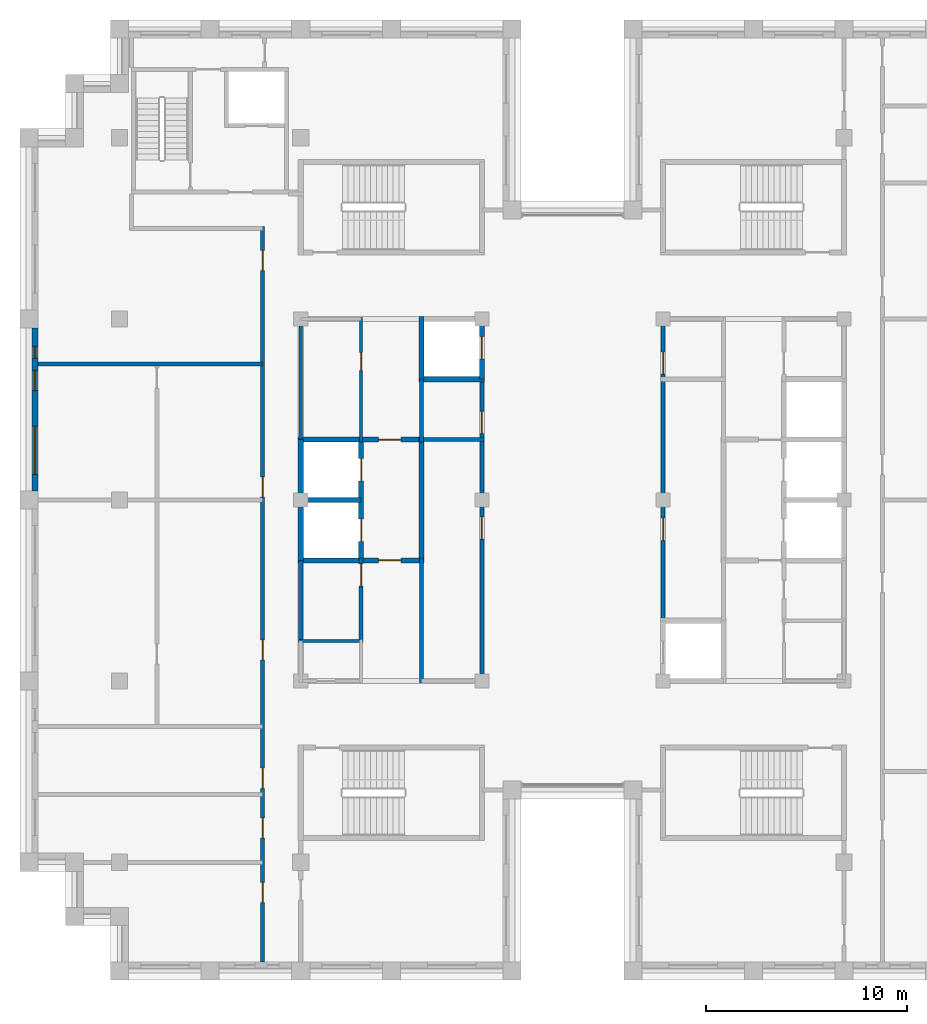
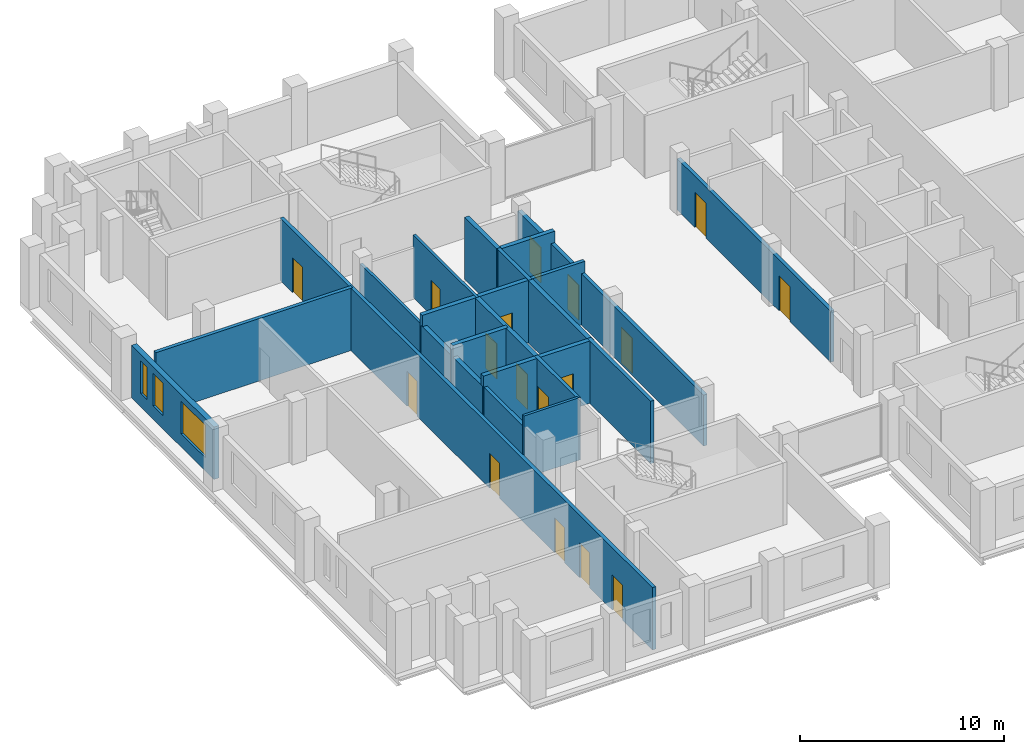
# One storey, part 7 of 13: 22 walls, 17 doors, 3 windows, 20 openings.
"""IFC4 building model written with IfcOpenShell, lengths in metres."""

from ifc_helpers import new_model, si_unit, direction, frame, frame_2d, origin, place, context, subcontext, project, spatial, rectangle, extrude, material, layer, layer_set, type_object, element, fill, save


model = new_model("IFC4")

# Units and contexts
model_context = context("Model", 3, precision=1e-05, world=origin(), true_north=direction((0.0, 1.0)))
body_context = subcontext(model_context, "Body", "Model", "MODEL_VIEW")
ifc_project = project(units=[si_unit("LENGTHUNIT", "METRE"), si_unit("AREAUNIT", "SQUARE_METRE"), si_unit("VOLUMEUNIT", "CUBIC_METRE"), si_unit("PLANEANGLEUNIT", "RADIAN"), si_unit("MASSUNIT", "GRAM", prefix="KILO")], contexts=[model_context])

# Site, building, storey
site_placement = place(None, origin())
site = spatial("IfcSite", under=ifc_project, at=site_placement, CompositionType="ELEMENT")
building_placement = place(site_placement, origin())
building = spatial("IfcBuilding", under=site, at=building_placement, Name="Corbelhall Arena Tower", CompositionType="ELEMENT")
storey_placement = place(building_placement, frame((0.0, 0.0, 304.0)))
storey = spatial("IfcBuildingStorey", under=building, at=storey_placement, Name="L66", CompositionType="ELEMENT", Elevation=304.0)

# Wall, openings, windows
ifc_material_1 = material(Name="Precast concrete C40/50 with granite facing", Category="masonry")
ifc_layer_1 = layer(ifc_material_1, 0.300048828125)
ifc_layer_set_1 = layer_set([ifc_layer_1], Name="EV-IW1 Infill panel 300")
wall_type_1 = type_object("IfcWallType", Name="EV-IW1 Infill panel 300", PredefinedType="SOLIDWALL", material=ifc_layer_set_1)
wall_1_placement = place(storey_placement, frame((-26.699951171875, 8.550048828125, 0.0), z_axis=(0.0, 0.0, 1.0), x_axis=(0.0, -1.0, 0.0)))
wall_1 = element("IfcWall", 1, at=wall_1_placement, inside=storey, type_object=wall_type_1, Name="Infill panel IW1", PredefinedType="SOLIDWALL", context=body_context, shape_type="SweptSolid", body=[
    extrude(rectangle(XDim=8.10009765625, YDim=0.300048828125, at=frame_2d((4.050048828125, 0.0))), origin(), (0.0, 0.0, 1.0), 3.139892578125),
])
opening_1_placement = place(wall_1_placement, frame((4.875, 0.0, 0.800048828125)))
opening_1 = element("IfcOpeningElement", 2, at=opening_1_placement, cuts=wall_1, Name="Opening WN1", PredefinedType="OPENING", context=body_context, shape_type="SweptSolid", body=[
    extrude(rectangle(XDim=2.39990234375, YDim=1.949951171875, at=frame_2d((1.199951171875, 0.97509765625))), frame((0.0, 0.14990234375, 0.0), z_axis=(0.0, -1.0, 0.0), x_axis=(1.0, 0.0, 0.0)), (0.0, 0.0, 1.0), 0.300048828125),
])
opening_2_placement = place(wall_1_placement, frame((0.91259765625, 0.0, 0.800048828125)))
opening_2 = element("IfcOpeningElement", 3, at=opening_2_placement, cuts=wall_1, Name="Opening WN5", PredefinedType="OPENING", context=body_context, shape_type="SweptSolid", body=[
    extrude(rectangle(XDim=0.60009765625, YDim=1.949951171875, at=frame_2d((0.300048828125, 0.97509765625))), frame((0.0, 0.14990234375, 0.0), z_axis=(0.0, -1.0, 0.0), x_axis=(1.0, 0.0, 0.0)), (0.0, 0.0, 1.0), 0.300048828125),
])
opening_3_placement = place(wall_1_placement, frame((2.112548828125, 0.0, 0.800048828125)))
opening_3 = element("IfcOpeningElement", 4, at=opening_3_placement, cuts=wall_1, Name="Opening WN6", PredefinedType="OPENING", context=body_context, shape_type="SweptSolid", body=[
    extrude(rectangle(XDim=1.0, YDim=1.949951171875, at=frame_2d((0.5, 0.97509765625))), frame((0.0, 0.14990234375, 0.0), z_axis=(0.0, -1.0, 0.0), x_axis=(1.0, 0.0, 0.0)), (0.0, 0.0, 1.0), 0.300048828125),
])
ifc_material_2 = material(Name="Aluminium black anodised", Category="aluminium")
window_type_1 = type_object("IfcWindowType", Name="EV-WN1 Office window", PartitioningType="SINGLE_PANEL", PredefinedType="WINDOW", material=ifc_material_2)
window_1_placement = place(opening_1_placement, origin())
window_1 = element("IfcWindow", 5, at=window_1_placement, inside=storey, type_object=window_type_1, Name="Window WN1", OverallHeight=1.949951171875, OverallWidth=2.39990234375, PartitioningType="SINGLE_PANEL", PredefinedType="WINDOW", context=body_context, shape_type="SweptSolid", body=[
    extrude(rectangle(XDim=2.39990234375, YDim=1.949951171875, at=frame_2d((1.199951171875, 0.97509765625))), frame((0.0, 0.030029296875, 0.0), z_axis=(0.0, -1.0, 0.0), x_axis=(1.0, 0.0, 0.0)), (0.0, 0.0, 1.0), 0.06005859375),
])
fill(opening_1, window_1)
window_type_2 = type_object("IfcWindowType", Name="EV-WN5 Office window 600", PartitioningType="SINGLE_PANEL", PredefinedType="WINDOW", material=ifc_material_2)
window_2_placement = place(opening_2_placement, origin())
window_2 = element("IfcWindow", 6, at=window_2_placement, inside=storey, type_object=window_type_2, Name="Window WN5", OverallHeight=1.949951171875, OverallWidth=0.60009765625, PartitioningType="SINGLE_PANEL", PredefinedType="WINDOW", context=body_context, shape_type="SweptSolid", body=[
    extrude(rectangle(XDim=0.60009765625, YDim=1.949951171875, at=frame_2d((0.300048828125, 0.97509765625))), frame((0.0, 0.030029296875, 0.0), z_axis=(0.0, -1.0, 0.0), x_axis=(1.0, 0.0, 0.0)), (0.0, 0.0, 1.0), 0.06005859375),
])
fill(opening_2, window_2)
window_type_3 = type_object("IfcWindowType", Name="EV-WN6 Office window 1000", PartitioningType="SINGLE_PANEL", PredefinedType="WINDOW", material=ifc_material_2)
window_3_placement = place(opening_3_placement, origin())
window_3 = element("IfcWindow", 7, at=window_3_placement, inside=storey, type_object=window_type_3, Name="Window WN6", OverallHeight=1.949951171875, OverallWidth=1.0, PartitioningType="SINGLE_PANEL", PredefinedType="WINDOW", context=body_context, shape_type="SweptSolid", body=[
    extrude(rectangle(XDim=1.0, YDim=1.949951171875, at=frame_2d((0.5, 0.97509765625))), frame((0.0, 0.030029296875, 0.0), z_axis=(0.0, -1.0, 0.0), x_axis=(1.0, 0.0, 0.0)), (0.0, 0.0, 1.0), 0.06005859375),
])
fill(opening_3, window_3)

# Wall
ifc_material_3 = material(Name="Gypsum board on steel stud, acoustic", Category="steel")
ifc_layer_2 = layer(ifc_material_3, 0.199951171875)
ifc_layer_set_2 = layer_set([ifc_layer_2], Name="IN-W-DM200")
wall_type_2 = type_object("IfcWallType", Name="IN-W-DM200", PredefinedType="PARTITIONING", material=ifc_layer_set_2)
wall_2_placement = place(storey_placement, frame((-26.550048828125, 6.75, 0.0), z_axis=(0.0, 0.0, 1.0), x_axis=(1.0, 0.0, 0.0)))
element("IfcWall", 8, at=wall_2_placement, inside=storey, type_object=wall_type_2, Name="Partition 003", PredefinedType="PARTITIONING", context=body_context, shape_type="SweptSolid", body=[
    extrude(rectangle(XDim=11.150146484375, YDim=0.199951171875, at=frame_2d((5.5751953125, 0.0))), origin(), (0.0, 0.0, 1.0), 3.739990234375),
])

# Wall, openings, doors
wall_3_placement = place(storey_placement, frame((-15.39990234375, -22.949951171875, 0.0), z_axis=(0.0, 0.0, 1.0), x_axis=(0.0, 1.0, 0.0)))
wall_3 = element("IfcWall", 9, at=wall_3_placement, inside=storey, type_object=wall_type_2, Name="Partition 009", PredefinedType="PARTITIONING", context=body_context, shape_type="SweptSolid", body=[
    extrude(rectangle(XDim=36.550048828125, YDim=0.199951171875, at=frame_2d((18.27490234375, 0.0))), origin(), (0.0, 0.0, 1.0), 3.739990234375),
])
opening_4_placement = place(wall_3_placement, frame((23.10009765625, 0.0, 0.0)))
opening_4 = element("IfcOpeningElement", 10, at=opening_4_placement, cuts=wall_3, Name="Opening 21021", PredefinedType="OPENING", context=body_context, shape_type="SweptSolid", body=[
    extrude(rectangle(XDim=1.0, YDim=2.10009765625, at=frame_2d((0.5, 1.050048828125))), frame((0.0, 0.10009765625, 0.0), z_axis=(0.0, -1.0, 0.0), x_axis=(1.0, 0.0, 0.0)), (0.0, 0.0, 1.0), 0.199951171875),
])
opening_5_placement = place(wall_3_placement, frame((34.35009765625, 0.0, 0.0)))
opening_5 = element("IfcOpeningElement", 11, at=opening_5_placement, cuts=wall_3, Name="Opening 21023", PredefinedType="OPENING", context=body_context, shape_type="SweptSolid", body=[
    extrude(rectangle(XDim=1.0, YDim=2.10009765625, at=frame_2d((0.5, 1.050048828125))), frame((0.0, 0.10009765625, 0.0), z_axis=(0.0, -1.0, 0.0), x_axis=(1.0, 0.0, 0.0)), (0.0, 0.0, 1.0), 0.199951171875),
])
opening_6_placement = place(wall_3_placement, frame((2.949951171875, 0.0, 0.0)))
opening_6 = element("IfcOpeningElement", 12, at=opening_6_placement, cuts=wall_3, Name="Opening 21024", PredefinedType="OPENING", context=body_context, shape_type="SweptSolid", body=[
    extrude(rectangle(XDim=1.0, YDim=2.10009765625, at=frame_2d((0.5, 1.050048828125))), frame((0.0, 0.10009765625, 0.0), z_axis=(0.0, -1.0, 0.0), x_axis=(1.0, 0.0, 0.0)), (0.0, 0.0, 1.0), 0.199951171875),
])
opening_7_placement = place(wall_3_placement, frame((6.14990234375, 0.0, 0.0)))
opening_7 = element("IfcOpeningElement", 13, at=opening_7_placement, cuts=wall_3, Name="Opening 21025", PredefinedType="OPENING", context=body_context, shape_type="SweptSolid", body=[
    extrude(rectangle(XDim=1.0, YDim=2.10009765625, at=frame_2d((0.5, 1.050048828125))), frame((0.0, 0.10009765625, 0.0), z_axis=(0.0, -1.0, 0.0), x_axis=(1.0, 0.0, 0.0)), (0.0, 0.0, 1.0), 0.199951171875),
])
opening_8_placement = place(wall_3_placement, frame((8.625, 0.0, 0.0)))
opening_8 = element("IfcOpeningElement", 14, at=opening_8_placement, cuts=wall_3, Name="Opening 21026", PredefinedType="OPENING", context=body_context, shape_type="SweptSolid", body=[
    extrude(rectangle(XDim=1.0, YDim=2.10009765625, at=frame_2d((0.5, 1.050048828125))), frame((0.0, 0.10009765625, 0.0), z_axis=(0.0, -1.0, 0.0), x_axis=(1.0, 0.0, 0.0)), (0.0, 0.0, 1.0), 0.199951171875),
])
opening_9_placement = place(wall_3_placement, frame((15.0, 0.0, 0.0)))
opening_9 = element("IfcOpeningElement", 15, at=opening_9_placement, cuts=wall_3, Name="Opening 21027", PredefinedType="OPENING", context=body_context, shape_type="SweptSolid", body=[
    extrude(rectangle(XDim=1.0, YDim=2.10009765625, at=frame_2d((0.5, 1.050048828125))), frame((0.0, 0.10009765625, 0.0), z_axis=(0.0, -1.0, 0.0), x_axis=(1.0, 0.0, 0.0)), (0.0, 0.0, 1.0), 0.199951171875),
])
ifc_material_4 = material(Name="Steel door set", Category="steel")
door_type_1 = type_object("IfcDoorType", Name="IN-D-SW100", OperationType="NOTDEFINED", PredefinedType="DOOR", material=ifc_material_4)
door_1_placement = place(opening_4_placement, origin())
door_1 = element("IfcDoor", 16, at=door_1_placement, inside=storey, type_object=door_type_1, Name="Door 021", OperationType="SINGLE_SWING_RIGHT", OverallHeight=2.10009765625, OverallWidth=1.0, PredefinedType="DOOR", context=body_context, shape_type="SweptSolid", body=[
    extrude(rectangle(XDim=1.0, YDim=2.10009765625, at=frame_2d((0.5, 1.050048828125))), frame((0.0, 0.02490234375, 0.0), z_axis=(0.0, -1.0, 0.0), x_axis=(1.0, 0.0, 0.0)), (0.0, 0.0, 1.0), 0.050048828125),
])
fill(opening_4, door_1)
door_2_placement = place(opening_5_placement, origin())
door_2 = element("IfcDoor", 17, at=door_2_placement, inside=storey, type_object=door_type_1, Name="Door 023", OperationType="SINGLE_SWING_RIGHT", OverallHeight=2.10009765625, OverallWidth=1.0, PredefinedType="DOOR", context=body_context, shape_type="SweptSolid", body=[
    extrude(rectangle(XDim=1.0, YDim=2.10009765625, at=frame_2d((0.5, 1.050048828125))), frame((0.0, 0.02490234375, 0.0), z_axis=(0.0, -1.0, 0.0), x_axis=(1.0, 0.0, 0.0)), (0.0, 0.0, 1.0), 0.050048828125),
])
fill(opening_5, door_2)
door_3_placement = place(opening_6_placement, origin())
door_3 = element("IfcDoor", 18, at=door_3_placement, inside=storey, type_object=door_type_1, Name="Door 024", OperationType="SINGLE_SWING_LEFT", OverallHeight=2.10009765625, OverallWidth=1.0, PredefinedType="DOOR", context=body_context, shape_type="SweptSolid", body=[
    extrude(rectangle(XDim=1.0, YDim=2.10009765625, at=frame_2d((0.5, 1.050048828125))), frame((0.0, 0.02490234375, 0.0), z_axis=(0.0, -1.0, 0.0), x_axis=(1.0, 0.0, 0.0)), (0.0, 0.0, 1.0), 0.050048828125),
])
fill(opening_6, door_3)
door_4_placement = place(opening_7_placement, origin())
door_4 = element("IfcDoor", 19, at=door_4_placement, inside=storey, type_object=door_type_1, Name="Door 025", OperationType="SINGLE_SWING_RIGHT", OverallHeight=2.10009765625, OverallWidth=1.0, PredefinedType="DOOR", context=body_context, shape_type="SweptSolid", body=[
    extrude(rectangle(XDim=1.0, YDim=2.10009765625, at=frame_2d((0.5, 1.050048828125))), frame((0.0, 0.02490234375, 0.0), z_axis=(0.0, -1.0, 0.0), x_axis=(1.0, 0.0, 0.0)), (0.0, 0.0, 1.0), 0.050048828125),
])
fill(opening_7, door_4)
door_5_placement = place(opening_8_placement, origin())
door_5 = element("IfcDoor", 20, at=door_5_placement, inside=storey, type_object=door_type_1, Name="Door 026", OperationType="SINGLE_SWING_LEFT", OverallHeight=2.10009765625, OverallWidth=1.0, PredefinedType="DOOR", context=body_context, shape_type="SweptSolid", body=[
    extrude(rectangle(XDim=1.0, YDim=2.10009765625, at=frame_2d((0.5, 1.050048828125))), frame((0.0, 0.02490234375, 0.0), z_axis=(0.0, -1.0, 0.0), x_axis=(1.0, 0.0, 0.0)), (0.0, 0.0, 1.0), 0.050048828125),
])
fill(opening_8, door_5)
door_6_placement = place(opening_9_placement, origin())
door_6 = element("IfcDoor", 21, at=door_6_placement, inside=storey, type_object=door_type_1, Name="Door 027", OperationType="SINGLE_SWING_RIGHT", OverallHeight=2.10009765625, OverallWidth=1.0, PredefinedType="DOOR", context=body_context, shape_type="SweptSolid", body=[
    extrude(rectangle(XDim=1.0, YDim=2.10009765625, at=frame_2d((0.5, 1.050048828125))), frame((0.0, 0.02490234375, 0.0), z_axis=(0.0, -1.0, 0.0), x_axis=(1.0, 0.0, 0.0)), (0.0, 0.0, 1.0), 0.050048828125),
])
fill(opening_9, door_6)

# Wall, opening, door
ifc_material_5 = material(Name="Concrete block wall", Category="concrete")
ifc_layer_3 = layer(ifc_material_5, 0.199951171875)
ifc_layer_set_3 = layer_set([ifc_layer_3], Name="IN-W-RS200")
wall_type_3 = type_object("IfcWallType", Name="IN-W-RS200", PredefinedType="SOLIDWALL", material=ifc_layer_set_3)
wall_4_placement = place(storey_placement, frame((-10.5, -7.074951171875, 0.0), z_axis=(0.0, 0.0, 1.0), x_axis=(0.0, 1.0, 0.0)))
wall_4 = element("IfcWall", 22, at=wall_4_placement, inside=storey, type_object=wall_type_3, Name="Partition 028", PredefinedType="SOLIDWALL", context=body_context, shape_type="SweptSolid", body=[
    extrude(rectangle(XDim=4.199951171875, YDim=0.199951171875, at=frame_2d((2.10009765625, 0.0))), origin(), (0.0, 0.0, 1.0), 3.739990234375),
])
opening_10_placement = place(wall_4_placement, frame((2.800048828125, 0.0, 0.0)))
opening_10 = element("IfcOpeningElement", 23, at=opening_10_placement, cuts=wall_4, Name="Opening 21006", PredefinedType="OPENING", context=body_context, shape_type="SweptSolid", body=[
    extrude(rectangle(XDim=1.10009765625, YDim=2.10009765625, at=frame_2d((0.550048828125, 1.050048828125))), frame((0.0, 0.10009765625, 0.0), z_axis=(0.0, -1.0, 0.0), x_axis=(1.0, 0.0, 0.0)), (0.0, 0.0, 1.0), 0.199951171875),
])
door_type_2 = type_object("IfcDoorType", Name="IN-D-FD110", OperationType="NOTDEFINED", PredefinedType="DOOR", material=ifc_material_4)
door_7_placement = place(opening_10_placement, origin())
door_7 = element("IfcDoor", 24, at=door_7_placement, inside=storey, type_object=door_type_2, Name="Door 006", OperationType="SINGLE_SWING_LEFT", OverallHeight=2.10009765625, OverallWidth=1.10009765625, PredefinedType="DOOR", context=body_context, shape_type="SweptSolid", body=[
    extrude(rectangle(XDim=1.10009765625, YDim=2.10009765625, at=frame_2d((0.550048828125, 1.050048828125))), frame((0.0, 0.02490234375, 0.0), z_axis=(0.0, -1.0, 0.0), x_axis=(1.0, 0.0, 0.0)), (0.0, 0.0, 1.0), 0.050048828125),
])
fill(opening_10, door_7)

# Walls
wall_5_placement = place(storey_placement, frame((-7.625, 3.0, 0.0), z_axis=(0.0, 0.0, 1.0), x_axis=(1.0, 0.0, 0.0)))
element("IfcWall", 25, at=wall_5_placement, inside=storey, type_object=wall_type_3, Name="Partition 029", PredefinedType="SOLIDWALL", context=body_context, shape_type="SweptSolid", body=[
    extrude(rectangle(XDim=3.22509765625, YDim=0.199951171875, at=frame_2d((1.612548828125, 0.0))), origin(), (0.0, 0.0, 1.0), 3.739990234375),
])
wall_6_placement = place(storey_placement, frame((-7.5, -9.10009765625, 0.0), z_axis=(0.0, 0.0, 1.0), x_axis=(0.0, 1.0, 0.0)))
element("IfcWall", 26, at=wall_6_placement, inside=storey, type_object=wall_type_3, Name="Partition 030", PredefinedType="SOLIDWALL", context=body_context, shape_type="SweptSolid", body=[
    extrude(rectangle(XDim=6.22509765625, YDim=0.199951171875, at=frame_2d((3.112548828125, 0.0))), origin(), (0.0, 0.0, 1.0), 3.739990234375),
])
wall_7_placement = place(storey_placement, frame((-7.5, 2.875, 0.0), z_axis=(0.0, 0.0, 1.0), x_axis=(0.0, 1.0, 0.0)))
element("IfcWall", 27, at=wall_7_placement, inside=storey, type_object=wall_type_3, Name="Partition 031", PredefinedType="SOLIDWALL", context=body_context, shape_type="SweptSolid", body=[
    extrude(rectangle(XDim=3.125, YDim=0.199951171875, at=frame_2d((1.5625, 0.0))), origin(), (0.0, 0.0, 1.0), 3.739990234375),
])
ifc_layer_4 = layer(ifc_material_5, 0.199951171875)
ifc_layer_set_4 = layer_set([ifc_layer_4], Name="IN-W-RS200 under beam 678 mm")
wall_type_4 = type_object("IfcWallType", Name="IN-W-RS200 under beam 678 mm", PredefinedType="SOLIDWALL", material=ifc_layer_set_4)
wall_8_placement = place(storey_placement, frame((-13.5, -7.0, 0.0), z_axis=(0.0, 0.0, 1.0), x_axis=(0.0, 1.0, 0.0)))
element("IfcWall", 28, at=wall_8_placement, inside=storey, type_object=wall_type_4, Name="Partition 027", PredefinedType="SOLIDWALL", context=body_context, shape_type="SweptSolid", body=[
    extrude(rectangle(XDim=4.0, YDim=0.199951171875, at=frame_2d((2.0, 0.0))), origin(), (0.0, 0.0, 1.0), 3.061767578125),
])

# Wall, openings, doors
wall_9_placement = place(storey_placement, frame((-4.5, 6.0, 0.0), z_axis=(0.0, 0.0, 1.0), x_axis=(0.0, -1.0, 0.0)))
wall_9 = element("IfcWall", 29, at=wall_9_placement, inside=storey, type_object=wall_type_4, Name="Partition 033", PredefinedType="SOLIDWALL", context=body_context, shape_type="SweptSolid", body=[
    extrude(rectangle(XDim=15.10009765625, YDim=0.199951171875, at=frame_2d((7.550048828125, 0.0))), origin(), (0.0, 0.0, 1.0), 3.061767578125),
])
opening_11_placement = place(wall_9_placement, frame((6.85009765625, 0.0, 0.0)))
opening_11 = element("IfcOpeningElement", 30, at=opening_11_placement, cuts=wall_9, Name="Opening 21001", PredefinedType="OPENING", context=body_context, shape_type="SweptSolid", body=[
    extrude(rectangle(XDim=1.10009765625, YDim=2.10009765625, at=frame_2d((0.550048828125, 1.050048828125))), frame((0.0, 0.10009765625, 0.0), z_axis=(0.0, -1.0, 0.0), x_axis=(1.0, 0.0, 0.0)), (0.0, 0.0, 1.0), 0.199951171875),
])
opening_12_placement = place(wall_9_placement, frame((1.60009765625, 0.0, 0.0)))
opening_12 = element("IfcOpeningElement", 31, at=opening_12_placement, cuts=wall_9, Name="Opening 21002", PredefinedType="OPENING", context=body_context, shape_type="SweptSolid", body=[
    extrude(rectangle(XDim=1.10009765625, YDim=2.10009765625, at=frame_2d((0.550048828125, 1.050048828125))), frame((0.0, 0.10009765625, 0.0), z_axis=(0.0, -1.0, 0.0), x_axis=(1.0, 0.0, 0.0)), (0.0, 0.0, 1.0), 0.199951171875),
])
door_8_placement = place(opening_11_placement, origin())
door_8 = element("IfcDoor", 32, at=door_8_placement, inside=storey, type_object=door_type_2, Name="Door 001", OperationType="SINGLE_SWING_RIGHT", OverallHeight=2.10009765625, OverallWidth=1.10009765625, PredefinedType="DOOR", context=body_context, shape_type="SweptSolid", body=[
    extrude(rectangle(XDim=1.10009765625, YDim=2.10009765625, at=frame_2d((0.550048828125, 1.050048828125))), frame((0.0, 0.02490234375, 0.0), z_axis=(0.0, -1.0, 0.0), x_axis=(1.0, 0.0, 0.0)), (0.0, 0.0, 1.0), 0.050048828125),
])
fill(opening_11, door_8)
door_9_placement = place(opening_12_placement, origin())
door_9 = element("IfcDoor", 33, at=door_9_placement, inside=storey, type_object=door_type_2, Name="Door 002", OperationType="SINGLE_SWING_LEFT", OverallHeight=2.10009765625, OverallWidth=1.10009765625, PredefinedType="DOOR", context=body_context, shape_type="SweptSolid", body=[
    extrude(rectangle(XDim=1.10009765625, YDim=2.10009765625, at=frame_2d((0.550048828125, 1.050048828125))), frame((0.0, 0.02490234375, 0.0), z_axis=(0.0, -1.0, 0.0), x_axis=(1.0, 0.0, 0.0)), (0.0, 0.0, 1.0), 0.050048828125),
])
fill(opening_12, door_9)

wall_10_placement = place(storey_placement, frame((4.5, -6.0, 0.0), z_axis=(0.0, 0.0, 1.0), x_axis=(0.0, 1.0, 0.0)))
wall_10 = element("IfcWall", 34, at=wall_10_placement, inside=storey, type_object=wall_type_4, Name="Partition 035", PredefinedType="SOLIDWALL", context=body_context, shape_type="SweptSolid", body=[
    extrude(rectangle(XDim=15.10009765625, YDim=0.199951171875, at=frame_2d((7.550048828125, 0.0))), origin(), (0.0, 0.0, 1.0), 3.061767578125),
])
opening_13_placement = place(wall_10_placement, frame((4.0, 0.0, 0.0)))
opening_13 = element("IfcOpeningElement", 35, at=opening_13_placement, cuts=wall_10, Name="Opening 21008", PredefinedType="OPENING", context=body_context, shape_type="SweptSolid", body=[
    extrude(rectangle(XDim=1.10009765625, YDim=2.10009765625, at=frame_2d((0.550048828125, 1.050048828125))), frame((0.0, 0.10009765625, 0.0), z_axis=(0.0, -1.0, 0.0), x_axis=(1.0, 0.0, 0.0)), (0.0, 0.0, 1.0), 0.199951171875),
])
opening_14_placement = place(wall_10_placement, frame((12.25, 0.0, 0.0)))
opening_14 = element("IfcOpeningElement", 36, at=opening_14_placement, cuts=wall_10, Name="Opening 21009", PredefinedType="OPENING", context=body_context, shape_type="SweptSolid", body=[
    extrude(rectangle(XDim=1.10009765625, YDim=2.10009765625, at=frame_2d((0.550048828125, 1.050048828125))), frame((0.0, 0.10009765625, 0.0), z_axis=(0.0, -1.0, 0.0), x_axis=(1.0, 0.0, 0.0)), (0.0, 0.0, 1.0), 0.199951171875),
])
door_10_placement = place(opening_13_placement, origin())
door_10 = element("IfcDoor", 37, at=door_10_placement, inside=storey, type_object=door_type_2, Name="Door 008", OperationType="SINGLE_SWING_LEFT", OverallHeight=2.10009765625, OverallWidth=1.10009765625, PredefinedType="DOOR", context=body_context, shape_type="SweptSolid", body=[
    extrude(rectangle(XDim=1.10009765625, YDim=2.10009765625, at=frame_2d((0.550048828125, 1.050048828125))), frame((0.0, 0.02490234375, 0.0), z_axis=(0.0, -1.0, 0.0), x_axis=(1.0, 0.0, 0.0)), (0.0, 0.0, 1.0), 0.050048828125),
])
fill(opening_13, door_10)
door_11_placement = place(opening_14_placement, origin())
door_11 = element("IfcDoor", 38, at=door_11_placement, inside=storey, type_object=door_type_2, Name="Door 009", OperationType="SINGLE_SWING_RIGHT", OverallHeight=2.10009765625, OverallWidth=1.10009765625, PredefinedType="DOOR", context=body_context, shape_type="SweptSolid", body=[
    extrude(rectangle(XDim=1.10009765625, YDim=2.10009765625, at=frame_2d((0.550048828125, 1.050048828125))), frame((0.0, 0.02490234375, 0.0), z_axis=(0.0, -1.0, 0.0), x_axis=(1.0, 0.0, 0.0)), (0.0, 0.0, 1.0), 0.050048828125),
])
fill(opening_14, door_11)

# Wall
ifc_material_6 = material(Name="Concrete C40/50", Category="concrete")
ifc_layer_5 = layer(ifc_material_6, 0.25)
ifc_layer_set_5 = layer_set([ifc_layer_5], Name="IN-W-SH250")
wall_type_5 = type_object("IfcWallType", Name="IN-W-SH250", PredefinedType="SOLIDWALL", material=ifc_layer_set_5)
wall_11_placement = place(storey_placement, frame((-13.625, 0.0, 0.0), z_axis=(0.0, 0.0, 1.0), x_axis=(1.0, 0.0, 0.0)))
element("IfcWall", 39, at=wall_11_placement, inside=storey, type_object=wall_type_5, Name="Shaft wall 044", PredefinedType="SOLIDWALL", context=body_context, shape_type="SweptSolid", body=[
    extrude(rectangle(XDim=3.125, YDim=0.25, at=frame_2d((1.5625, 0.0))), origin(), (0.0, 0.0, 1.0), 3.739990234375),
])

# Wall, opening, door
wall_12_placement = place(storey_placement, frame((-13.625, 3.0, 0.0), z_axis=(0.0, 0.0, 1.0), x_axis=(1.0, 0.0, 0.0)))
wall_12 = element("IfcWall", 40, at=wall_12_placement, inside=storey, type_object=wall_type_5, Name="Shaft wall 045", PredefinedType="SOLIDWALL", context=body_context, shape_type="SweptSolid", body=[
    extrude(rectangle(XDim=6.125, YDim=0.25, at=frame_2d((3.0625, 0.0))), origin(), (0.0, 0.0, 1.0), 3.739990234375),
])
opening_15_placement = place(wall_12_placement, frame((4.0, 0.0, 0.0)))
opening_15 = element("IfcOpeningElement", 41, at=opening_15_placement, cuts=wall_12, Name="Opening 21004", PredefinedType="OPENING", context=body_context, shape_type="SweptSolid", body=[
    extrude(rectangle(XDim=1.10009765625, YDim=2.10009765625, at=frame_2d((0.550048828125, 1.050048828125))), frame((0.0, 0.125, 0.0), z_axis=(0.0, -1.0, 0.0), x_axis=(1.0, 0.0, 0.0)), (0.0, 0.0, 1.0), 0.25),
])
door_12_placement = place(opening_15_placement, origin())
door_12 = element("IfcDoor", 42, at=door_12_placement, inside=storey, type_object=door_type_2, Name="Door 004", OperationType="SINGLE_SWING_LEFT", OverallHeight=2.10009765625, OverallWidth=1.10009765625, PredefinedType="DOOR", context=body_context, shape_type="SweptSolid", body=[
    extrude(rectangle(XDim=1.10009765625, YDim=2.10009765625, at=frame_2d((0.550048828125, 1.050048828125))), frame((0.0, 0.02490234375, 0.0), z_axis=(0.0, -1.0, 0.0), x_axis=(1.0, 0.0, 0.0)), (0.0, 0.0, 1.0), 0.050048828125),
])
fill(opening_15, door_12)

wall_13_placement = place(storey_placement, frame((-13.625, -3.0, 0.0), z_axis=(0.0, 0.0, 1.0), x_axis=(1.0, 0.0, 0.0)))
wall_13 = element("IfcWall", 43, at=wall_13_placement, inside=storey, type_object=wall_type_5, Name="Shaft wall 047", PredefinedType="SOLIDWALL", context=body_context, shape_type="SweptSolid", body=[
    extrude(rectangle(XDim=6.125, YDim=0.25, at=frame_2d((3.0625, 0.0))), origin(), (0.0, 0.0, 1.0), 3.739990234375),
])
opening_16_placement = place(wall_13_placement, frame((4.0, 0.0, 0.0)))
opening_16 = element("IfcOpeningElement", 44, at=opening_16_placement, cuts=wall_13, Name="Opening 21003", PredefinedType="OPENING", context=body_context, shape_type="SweptSolid", body=[
    extrude(rectangle(XDim=1.10009765625, YDim=2.10009765625, at=frame_2d((0.550048828125, 1.050048828125))), frame((0.0, 0.125, 0.0), z_axis=(0.0, -1.0, 0.0), x_axis=(1.0, 0.0, 0.0)), (0.0, 0.0, 1.0), 0.25),
])
door_13_placement = place(opening_16_placement, origin())
door_13 = element("IfcDoor", 45, at=door_13_placement, inside=storey, type_object=door_type_2, Name="Door 003", OperationType="SINGLE_SWING_RIGHT", OverallHeight=2.10009765625, OverallWidth=1.10009765625, PredefinedType="DOOR", context=body_context, shape_type="SweptSolid", body=[
    extrude(rectangle(XDim=1.10009765625, YDim=2.10009765625, at=frame_2d((0.550048828125, 1.050048828125))), frame((0.0, 0.02490234375, 0.0), z_axis=(0.0, -1.0, 0.0), x_axis=(1.0, 0.0, 0.0)), (0.0, 0.0, 1.0), 0.050048828125),
])
fill(opening_16, door_13)

# Wall, openings, doors
wall_14_placement = place(storey_placement, frame((-10.5, -3.125, 0.0), z_axis=(0.0, 0.0, 1.0), x_axis=(0.0, 1.0, 0.0)))
wall_14 = element("IfcWall", 46, at=wall_14_placement, inside=storey, type_object=wall_type_5, Name="Shaft wall 048", PredefinedType="SOLIDWALL", context=body_context, shape_type="SweptSolid", body=[
    extrude(rectangle(XDim=6.25, YDim=0.25, at=frame_2d((3.125, 0.0))), origin(), (0.0, 0.0, 1.0), 3.739990234375),
])
opening_17_placement = place(wall_14_placement, frame((1.074951171875, 0.0, 0.0)))
opening_17 = element("IfcOpeningElement", 47, at=opening_17_placement, cuts=wall_14, Name="Opening LD", PredefinedType="OPENING", context=body_context, shape_type="SweptSolid", body=[
    extrude(rectangle(XDim=1.10009765625, YDim=2.10009765625, at=frame_2d((0.550048828125, 1.050048828125))), frame((0.0, 0.125, 0.0), z_axis=(0.0, -1.0, 0.0), x_axis=(1.0, 0.0, 0.0)), (0.0, 0.0, 1.0), 0.25),
])
opening_18_placement = place(wall_14_placement, frame((4.074951171875, 0.0, 0.0)))
opening_18 = element("IfcOpeningElement", 48, at=opening_18_placement, cuts=wall_14, Name="Opening LD", PredefinedType="OPENING", context=body_context, shape_type="SweptSolid", body=[
    extrude(rectangle(XDim=1.10009765625, YDim=2.10009765625, at=frame_2d((0.550048828125, 1.050048828125))), frame((0.0, 0.125, 0.0), z_axis=(0.0, -1.0, 0.0), x_axis=(1.0, 0.0, 0.0)), (0.0, 0.0, 1.0), 0.25),
])
door_type_3 = type_object("IfcDoorType", Name="IN-D-LD110", OperationType="NOTDEFINED", PredefinedType="DOOR", material=ifc_material_4)
door_14_placement = place(opening_17_placement, origin())
door_14 = element("IfcDoor", 49, at=door_14_placement, inside=storey, type_object=door_type_3, Name="Landing door W3", OperationType="SLIDING_TO_LEFT", OverallHeight=2.10009765625, OverallWidth=1.10009765625, PredefinedType="DOOR", context=body_context, shape_type="SweptSolid", body=[
    extrude(rectangle(XDim=1.10009765625, YDim=2.10009765625, at=frame_2d((0.550048828125, 1.050048828125))), frame((0.0, 0.02490234375, 0.0), z_axis=(0.0, -1.0, 0.0), x_axis=(1.0, 0.0, 0.0)), (0.0, 0.0, 1.0), 0.050048828125),
])
fill(opening_17, door_14)
door_15_placement = place(opening_18_placement, origin())
door_15 = element("IfcDoor", 50, at=door_15_placement, inside=storey, type_object=door_type_3, Name="Landing door W4", OperationType="SLIDING_TO_LEFT", OverallHeight=2.10009765625, OverallWidth=1.10009765625, PredefinedType="DOOR", context=body_context, shape_type="SweptSolid", body=[
    extrude(rectangle(XDim=1.10009765625, YDim=2.10009765625, at=frame_2d((0.550048828125, 1.050048828125))), frame((0.0, 0.02490234375, 0.0), z_axis=(0.0, -1.0, 0.0), x_axis=(1.0, 0.0, 0.0)), (0.0, 0.0, 1.0), 0.050048828125),
])
fill(opening_18, door_15)

# Walls
wall_15_placement = place(storey_placement, frame((-7.625, 6.0, 0.0), z_axis=(0.0, 0.0, 1.0), x_axis=(1.0, 0.0, 0.0)))
element("IfcWall", 51, at=wall_15_placement, inside=storey, type_object=wall_type_5, Name="Shaft wall 049", PredefinedType="SOLIDWALL", context=body_context, shape_type="SweptSolid", body=[
    extrude(rectangle(XDim=3.25, YDim=0.25, at=frame_2d((1.625, 0.0))), origin(), (0.0, 0.0, 1.0), 3.739990234375),
])
wall_16_placement = place(storey_placement, frame((-7.5, -3.125, 0.0), z_axis=(0.0, 0.0, 1.0), x_axis=(0.0, 1.0, 0.0)))
element("IfcWall", 52, at=wall_16_placement, inside=storey, type_object=wall_type_5, Name="Shaft wall 050", PredefinedType="SOLIDWALL", context=body_context, shape_type="SweptSolid", body=[
    extrude(rectangle(XDim=6.25, YDim=0.25, at=frame_2d((3.125, 0.0))), origin(), (0.0, 0.0, 1.0), 3.739990234375),
])
wall_17_placement = place(storey_placement, frame((-7.5, 6.0, 0.0), z_axis=(0.0, 0.0, 1.0), x_axis=(0.0, 1.0, 0.0)))
element("IfcWall", 53, at=wall_17_placement, inside=storey, type_object=wall_type_5, Name="Shaft wall 051", PredefinedType="SOLIDWALL", context=body_context, shape_type="SweptSolid", body=[
    extrude(rectangle(XDim=3.125, YDim=0.25, at=frame_2d((1.5625, 0.0))), origin(), (0.0, 0.0, 1.0), 3.739990234375),
])
ifc_layer_6 = layer(ifc_material_6, 0.25)
ifc_layer_set_6 = layer_set([ifc_layer_6], Name="IN-W-SH250 under beam 678 mm")
wall_type_6 = type_object("IfcWallType", Name="IN-W-SH250 under beam 678 mm", PredefinedType="SOLIDWALL", material=ifc_layer_set_6)
wall_18_placement = place(storey_placement, frame((-13.5, -3.0, 0.0), z_axis=(0.0, 0.0, 1.0), x_axis=(0.0, 1.0, 0.0)))
element("IfcWall", 54, at=wall_18_placement, inside=storey, type_object=wall_type_6, Name="Shaft wall 046", PredefinedType="SOLIDWALL", context=body_context, shape_type="SweptSolid", body=[
    extrude(rectangle(XDim=6.0, YDim=0.25, at=frame_2d((3.0, 0.0))), origin(), (0.0, 0.0, 1.0), 3.061767578125),
])

# Wall, opening, door
wall_19_placement = place(storey_placement, frame((-4.5, 9.125, 0.0), z_axis=(0.0, 0.0, 1.0), x_axis=(0.0, -1.0, 0.0)))
wall_19 = element("IfcWall", 55, at=wall_19_placement, inside=storey, type_object=wall_type_6, Name="Shaft wall 053", PredefinedType="SOLIDWALL", context=body_context, shape_type="SweptSolid", body=[
    extrude(rectangle(XDim=3.125, YDim=0.25, at=frame_2d((1.5625, 0.0))), origin(), (0.0, 0.0, 1.0), 3.061767578125),
])
opening_19_placement = place(wall_19_placement, frame((1.012451171875, 0.0, 0.0)))
opening_19 = element("IfcOpeningElement", 56, at=opening_19_placement, cuts=wall_19, Name="Opening LD", PredefinedType="OPENING", context=body_context, shape_type="SweptSolid", body=[
    extrude(rectangle(XDim=1.10009765625, YDim=2.10009765625, at=frame_2d((0.550048828125, 1.050048828125))), frame((0.0, 0.125, 0.0), z_axis=(0.0, -1.0, 0.0), x_axis=(1.0, 0.0, 0.0)), (0.0, 0.0, 1.0), 0.25),
])
door_16_placement = place(opening_19_placement, origin())
door_16 = element("IfcDoor", 57, at=door_16_placement, inside=storey, type_object=door_type_3, Name="Landing door W6", OperationType="SLIDING_TO_LEFT", OverallHeight=2.10009765625, OverallWidth=1.10009765625, PredefinedType="DOOR", context=body_context, shape_type="SweptSolid", body=[
    extrude(rectangle(XDim=1.10009765625, YDim=2.10009765625, at=frame_2d((0.550048828125, 1.050048828125))), frame((0.0, 0.02490234375, 0.0), z_axis=(0.0, -1.0, 0.0), x_axis=(1.0, 0.0, 0.0)), (0.0, 0.0, 1.0), 0.050048828125),
])
fill(opening_19, door_16)

# Wall
ifc_material_7 = material(Name="Gypsum board on steel stud, moisture resistant", Category="steel")
ifc_layer_7 = layer(ifc_material_7, 0.14990234375)
ifc_layer_set_7 = layer_set([ifc_layer_7], Name="IN-W-WC150")
wall_type_7 = type_object("IfcWallType", Name="IN-W-WC150", PredefinedType="PARTITIONING", material=ifc_layer_set_7)
wall_20_placement = place(storey_placement, frame((-13.60009765625, -7.0, 0.0), z_axis=(0.0, 0.0, 1.0), x_axis=(1.0, 0.0, 0.0)))
element("IfcWall", 58, at=wall_20_placement, inside=storey, type_object=wall_type_7, Name="Partition 081", PredefinedType="PARTITIONING", context=body_context, shape_type="SweptSolid", body=[
    extrude(rectangle(XDim=3.10009765625, YDim=0.14990234375, at=frame_2d((1.550048828125, 0.0))), origin(), (0.0, 0.0, 1.0), 3.739990234375),
])

# Wall, opening, door
wall_21_placement = place(storey_placement, frame((-10.5, 2.875, 0.0), z_axis=(0.0, 0.0, 1.0), x_axis=(0.0, 1.0, 0.0)))
wall_21 = element("IfcWall", 59, at=wall_21_placement, inside=storey, type_object=wall_type_7, Name="Partition 087", PredefinedType="PARTITIONING", context=body_context, shape_type="SweptSolid", body=[
    extrude(rectangle(XDim=6.199951171875, YDim=0.14990234375, at=frame_2d((3.10009765625, 0.0))), origin(), (0.0, 0.0, 1.0), 3.739990234375),
])
opening_20_placement = place(wall_21_placement, frame((3.550048828125, 0.0, 0.0)))
opening_20 = element("IfcOpeningElement", 60, at=opening_20_placement, cuts=wall_21, Name="Opening 21007", PredefinedType="OPENING", context=body_context, shape_type="SweptSolid", body=[
    extrude(rectangle(XDim=0.89990234375, YDim=2.10009765625, at=frame_2d((0.449951171875, 1.050048828125))), frame((0.0, 0.074951171875, 0.0), z_axis=(0.0, -1.0, 0.0), x_axis=(1.0, 0.0, 0.0)), (0.0, 0.0, 1.0), 0.14990234375),
])
ifc_material_8 = material(Name="Timber door set", Category="wood")
door_type_4 = type_object("IfcDoorType", Name="IN-D-SW90", OperationType="NOTDEFINED", PredefinedType="DOOR", material=ifc_material_8)
door_17_placement = place(opening_20_placement, origin())
door_17 = element("IfcDoor", 61, at=door_17_placement, inside=storey, type_object=door_type_4, Name="Door 007", OperationType="SINGLE_SWING_RIGHT", OverallHeight=2.10009765625, OverallWidth=0.89990234375, PredefinedType="DOOR", context=body_context, shape_type="SweptSolid", body=[
    extrude(rectangle(XDim=0.89990234375, YDim=2.10009765625, at=frame_2d((0.449951171875, 1.050048828125))), frame((0.0, 0.02490234375, 0.0), z_axis=(0.0, -1.0, 0.0), x_axis=(1.0, 0.0, 0.0)), (0.0, 0.0, 1.0), 0.050048828125),
])
fill(opening_20, door_17)

# Wall
ifc_layer_8 = layer(ifc_material_7, 0.14990234375)
ifc_layer_set_8 = layer_set([ifc_layer_8], Name="IN-W-WC150 under beam 678 mm")
wall_type_8 = type_object("IfcWallType", Name="IN-W-WC150 under beam 678 mm", PredefinedType="PARTITIONING", material=ifc_layer_set_8)
wall_22_placement = place(storey_placement, frame((-13.5, 3.0, 0.0), z_axis=(0.0, 0.0, 1.0), x_axis=(0.0, 1.0, 0.0)))
element("IfcWall", 62, at=wall_22_placement, inside=storey, type_object=wall_type_8, Name="Partition 083", PredefinedType="PARTITIONING", context=body_context, shape_type="SweptSolid", body=[
    extrude(rectangle(XDim=6.074951171875, YDim=0.14990234375, at=frame_2d((3.03759765625, 0.0))), origin(), (0.0, 0.0, 1.0), 3.061767578125),
])

save(model, "model.ifc")
